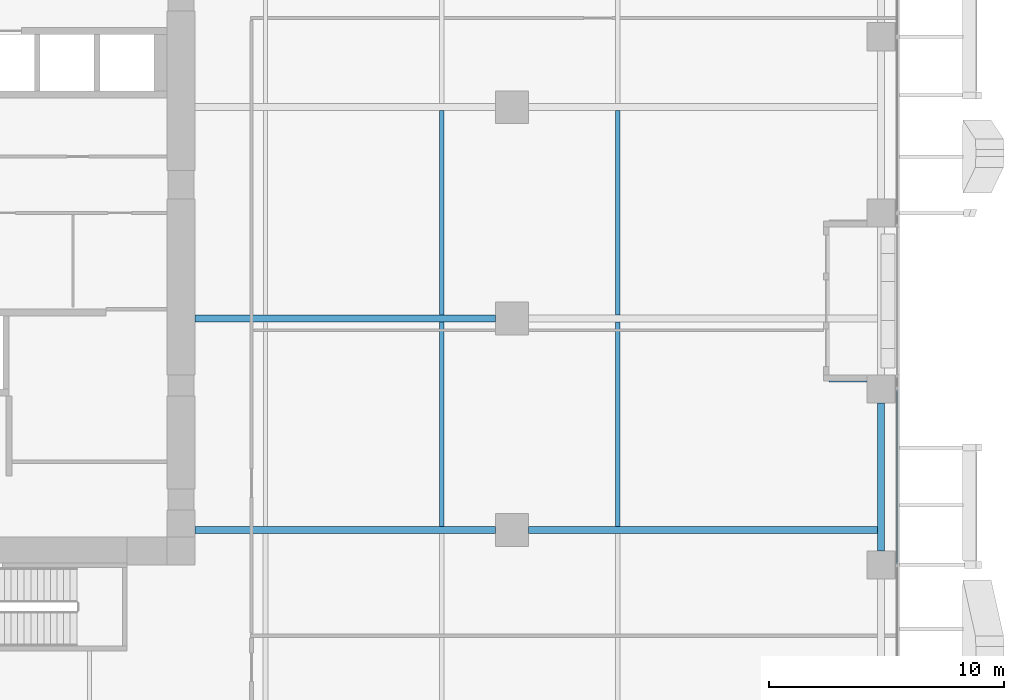
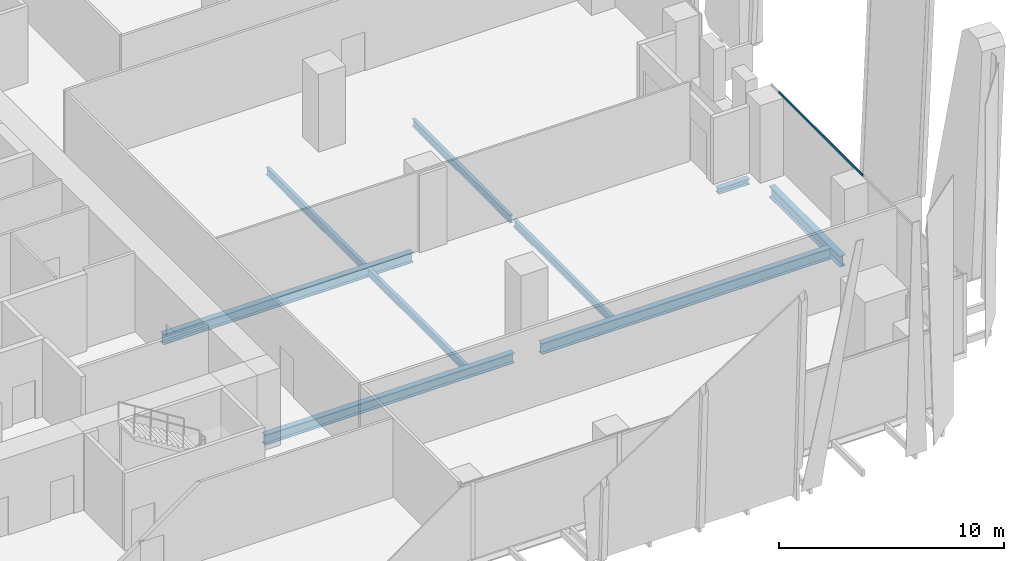
# One storey, part 9 of 34: 9 beams, 1 member, 1 element without a shape of its own.
"""IFC4 building model written with IfcOpenShell, lengths in metres."""

from ifc_helpers import new_model, si_unit, direction, frame, origin, origin_2d, place, context, subcontext, project, spatial, hollow_rectangle, i_section, extrude, source, transform, mapped, material, material_profile, profile_set, type_object, element, aggregate, save


model = new_model("IFC4")

# Units and contexts
model_context = context("Model", 3, precision=1e-05, world=origin(), true_north=direction((0.0, 1.0)))
body_context = subcontext(model_context, "Body", "Model", "MODEL_VIEW")
ifc_project = project(units=[si_unit("LENGTHUNIT", "METRE"), si_unit("AREAUNIT", "SQUARE_METRE"), si_unit("VOLUMEUNIT", "CUBIC_METRE"), si_unit("PLANEANGLEUNIT", "RADIAN"), si_unit("MASSUNIT", "GRAM", prefix="KILO")], contexts=[model_context])

# Site, building, storey
site_placement = place(None, origin())
site = spatial("IfcSite", under=ifc_project, at=site_placement, CompositionType="ELEMENT")
building_placement = place(site_placement, origin())
building = spatial("IfcBuilding", under=site, at=building_placement, Name="Khomas Fold Tower", CompositionType="ELEMENT")
storey_placement = place(building_placement, frame((0.0, 0.0, 73.5)))
storey = spatial("IfcBuildingStorey", under=building, at=storey_placement, Name="L15", CompositionType="ELEMENT", Elevation=73.5)

# Beams
ifc_material_1 = material(Name="Steel S355", Category="steel")
ifc_material_profile_1 = material_profile(ifc_material_1, i_section(OverallWidth=0.300048828125, OverallDepth=0.550048828125, WebThickness=0.014892578125, FlangeThickness=0.029052734375, at=origin_2d()), Name="HE 550 B")
ifc_profile_set_1 = profile_set([ifc_material_profile_1], Name="Steel S355")
beam_type_1 = type_object("IfcBeamType", Name="HE 550 B beam GB4", PredefinedType="BEAM", material=ifc_profile_set_1)
shared_shape_1 = source(origin(), body_context, "Body", "SweptSolid", [
    extrude(i_section(OverallWidth=0.300048828125, OverallDepth=0.550048828125, WebThickness=0.014892578125, FlangeThickness=0.029052734375, at=origin_2d()), origin(), (0.0, 0.0, 1.0), 12.800048828125),
])
for number, where, z_axis, x_axis, name in (
    (1, (24.0, 13.5, -0.574951171875), (1.0, 0.0, 0.0), (0.0, 1.0, 0.0), "GB4"),
    (2, (24.0, 22.5, -0.574951171875), (1.0, 0.0, 0.0), (0.0, 1.0, 0.0), "GB4"),
):
    element("IfcBeam", number, at=place(storey_placement, frame(where, z_axis=z_axis, x_axis=x_axis)), inside=storey, type_object=beam_type_1, Name=name, PredefinedType="BEAM", context=body_context, shape_type="MappedRepresentation", body=[
        mapped(shared_shape_1, transform((0.0, 0.0, 0.0))),
    ])
ifc_material_2 = material(Name="Steel S355", Category="steel")
ifc_material_profile_2 = material_profile(ifc_material_2, i_section(OverallWidth=0.179931640625, OverallDepth=0.39990234375, WebThickness=0.008544921875, FlangeThickness=0.013427734375, at=origin_2d()), Name="IPE 400")
ifc_profile_set_2 = profile_set([ifc_material_profile_2], Name="Steel S355")
beam_type_2 = type_object("IfcBeamType", Name="IPE 400 beam JB3", PredefinedType="BEAM", material=ifc_profile_set_2)
shared_shape_2 = source(origin(), body_context, "Body", "SweptSolid", [
    extrude(i_section(OverallWidth=0.179931640625, OverallDepth=0.39990234375, WebThickness=0.008544921875, FlangeThickness=0.013427734375, at=origin_2d()), origin(), (0.0, 0.0, 1.0), 8.7001953125),
])
for number, where, z_axis, x_axis, name in (
    (3, (34.5, 13.64990234375, -0.5), (0.0, 1.0, 0.0), (-1.0, 0.0, 0.0), "JB3"),
    (4, (34.5, 22.64990234375, -0.5), (0.0, 1.0, 0.0), (-1.0, 0.0, 0.0), "JB3"),
    (5, (42.0, 13.64990234375, -0.5), (0.0, 1.0, 0.0), (-1.0, 0.0, 0.0), "JB3"),
    (6, (42.0, 22.64990234375, -0.5), (0.0, 1.0, 0.0), (-1.0, 0.0, 0.0), "JB3"),
):
    element("IfcBeam", number, at=place(storey_placement, frame(where, z_axis=z_axis, x_axis=x_axis)), inside=storey, type_object=beam_type_2, Name=name, PredefinedType="BEAM", context=body_context, shape_type="MappedRepresentation", body=[
        mapped(shared_shape_2, transform((0.0, 0.0, 0.0))),
    ])
ifc_material_3 = material(Name="Steel S355", Category="steel")
ifc_material_profile_3 = material_profile(ifc_material_3, i_section(OverallWidth=0.300048828125, OverallDepth=0.60009765625, WebThickness=0.015380859375, FlangeThickness=0.030029296875, at=origin_2d()), Name="HE 600 B")
ifc_profile_set_3 = profile_set([ifc_material_profile_3], Name="Steel S355")
beam_type_3 = type_object("IfcBeamType", Name="HE 600 B spandrel SB1", PredefinedType="SPANDREL", material=ifc_profile_set_3)
shared_shape_3 = source(origin(), body_context, "Body", "SweptSolid", [
    extrude(i_section(OverallWidth=0.300048828125, OverallDepth=0.60009765625, WebThickness=0.015380859375, FlangeThickness=0.030029296875, at=origin_2d()), origin(), (0.0, 0.0, 1.0), 6.2998046875),
])
beam_1_placement = place(storey_placement, frame((53.199951171875, 12.60009765625, -0.60009765625), z_axis=(0.0, 1.0, 0.0), x_axis=(-1.0, 0.0, 0.0)))
element("IfcBeam", 7, at=beam_1_placement, inside=storey, type_object=beam_type_3, Name="SB1", PredefinedType="SPANDREL", context=body_context, shape_type="MappedRepresentation", body=[
    mapped(shared_shape_3, transform((0.0, 0.0, 0.0))),
])
ifc_material_4 = material(Name="Steel S355", Category="steel")
ifc_material_profile_4 = material_profile(ifc_material_4, i_section(OverallWidth=0.300048828125, OverallDepth=0.60009765625, WebThickness=0.015380859375, FlangeThickness=0.030029296875, at=origin_2d()), Name="HE 600 B")
ifc_profile_set_4 = profile_set([ifc_material_profile_4], Name="Steel S355")
beam_type_4 = type_object("IfcBeamType", Name="HE 600 B beam GB5", PredefinedType="BEAM", material=ifc_profile_set_4)
shared_shape_4 = source(origin(), body_context, "Body", "SweptSolid", [
    extrude(i_section(OverallWidth=0.300048828125, OverallDepth=0.60009765625, WebThickness=0.015380859375, FlangeThickness=0.030029296875, at=origin_2d()), origin(), (0.0, 0.0, 1.0), 14.85009765625),
])
beam_2_placement = place(storey_placement, frame((38.199951171875, 13.5, -0.60009765625), z_axis=(1.0, 0.0, 0.0), x_axis=(0.0, 1.0, 0.0)))
element("IfcBeam", 8, at=beam_2_placement, inside=storey, type_object=beam_type_4, Name="GB5", PredefinedType="BEAM", context=body_context, shape_type="MappedRepresentation", body=[
    mapped(shared_shape_4, transform((0.0, 0.0, 0.0))),
])
ifc_material_5 = material(Name="Steel S355", Category="steel")
ifc_material_profile_5 = material_profile(ifc_material_5, i_section(OverallWidth=0.300048828125, OverallDepth=0.300048828125, WebThickness=0.010986328125, FlangeThickness=0.01904296875, at=origin_2d()), Name="HE 300 B")
ifc_profile_set_5 = profile_set([ifc_material_profile_5], Name="Steel S355")
beam_type_5 = type_object("IfcBeamType", Name="HE 300 B beam BB1", PredefinedType="BEAM", material=ifc_profile_set_5)
shared_shape_5 = source(origin(), body_context, "Body", "SweptSolid", [
    extrude(i_section(OverallWidth=0.300048828125, OverallDepth=0.300048828125, WebThickness=0.010986328125, FlangeThickness=0.01904296875, at=origin_2d()), origin(), (0.0, 0.0, 1.0), 1.60009765625),
])
beam_3_placement = place(storey_placement, frame((51.0, 19.949951171875, -0.449951171875), z_axis=(1.0, 0.0, 0.0), x_axis=(0.0, 1.0, 0.0)))
element("IfcBeam", 9, at=beam_3_placement, inside=storey, type_object=beam_type_5, Name="BB1", PredefinedType="BEAM", context=body_context, shape_type="MappedRepresentation", body=[
    mapped(shared_shape_5, transform((0.0, 0.0, 0.0))),
])

# Curtain wall, member
ifc_material_6 = material(Name="Aluminium framed double glazing", Category="aluminium")
curtain_wall_type = type_object("IfcCurtainWallType", Name="SK-Unitised clear-glass wall, growing floors CW1", PredefinedType="NOTDEFINED", material=ifc_material_6)
curtain_wall_placement = place(storey_placement, origin())
curtain_wall = element("IfcCurtainWall", 10, at=curtain_wall_placement, inside=storey, type_object=curtain_wall_type, Name="CW1 run L15 03-0", PredefinedType="NOTDEFINED")
ifc_material_7 = material(Name="Aluminium", Category="aluminium")
ifc_material_profile_6 = material_profile(ifc_material_7, hollow_rectangle(XDim=0.06005859375, YDim=0.1201171875, WallThickness=0.00390625, at=origin_2d()), Name="SK-Unitised clear-glass wall, growing floors transom CW1-T")
ifc_profile_set_6 = profile_set([ifc_material_profile_6], Name="Aluminium")
member_type = type_object("IfcMemberType", Name="SK-Unitised clear-glass wall, growing floors transom CW1-T", PredefinedType="USERDEFINED", material=ifc_profile_set_6)
shared_shape_6 = source(origin(), body_context, "Body", "SweptSolid", [
    extrude(hollow_rectangle(XDim=0.06005859375, YDim=0.1201171875, WallThickness=0.00390625, at=origin_2d()), origin(), (0.0, 0.0, 1.0), 7.43994140625),
])
member_placement = place(storey_placement, frame((53.89990234375, 12.030029296875, 4.139892578125), z_axis=(0.0, 1.0, 0.0), x_axis=(-1.0, 0.0, 0.0)))
member = element("IfcMember", 11, at=member_placement, type_object=member_type, Name="CW1 transom 3", ObjectType="TRANSOM", PredefinedType="USERDEFINED", context=body_context, shape_type="MappedRepresentation", body=[
    mapped(shared_shape_6, transform((0.0, 0.0, 0.0))),
])
aggregate(curtain_wall, [member])

save(model, "model.ifc")
